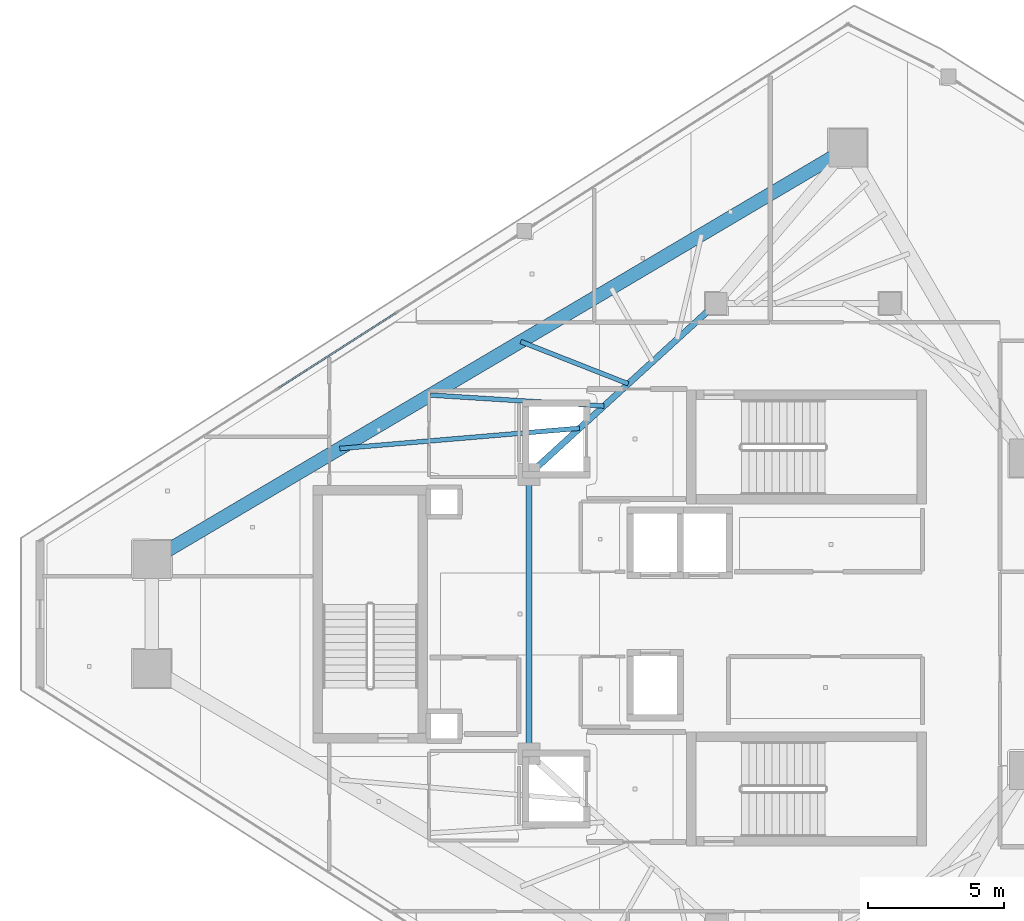
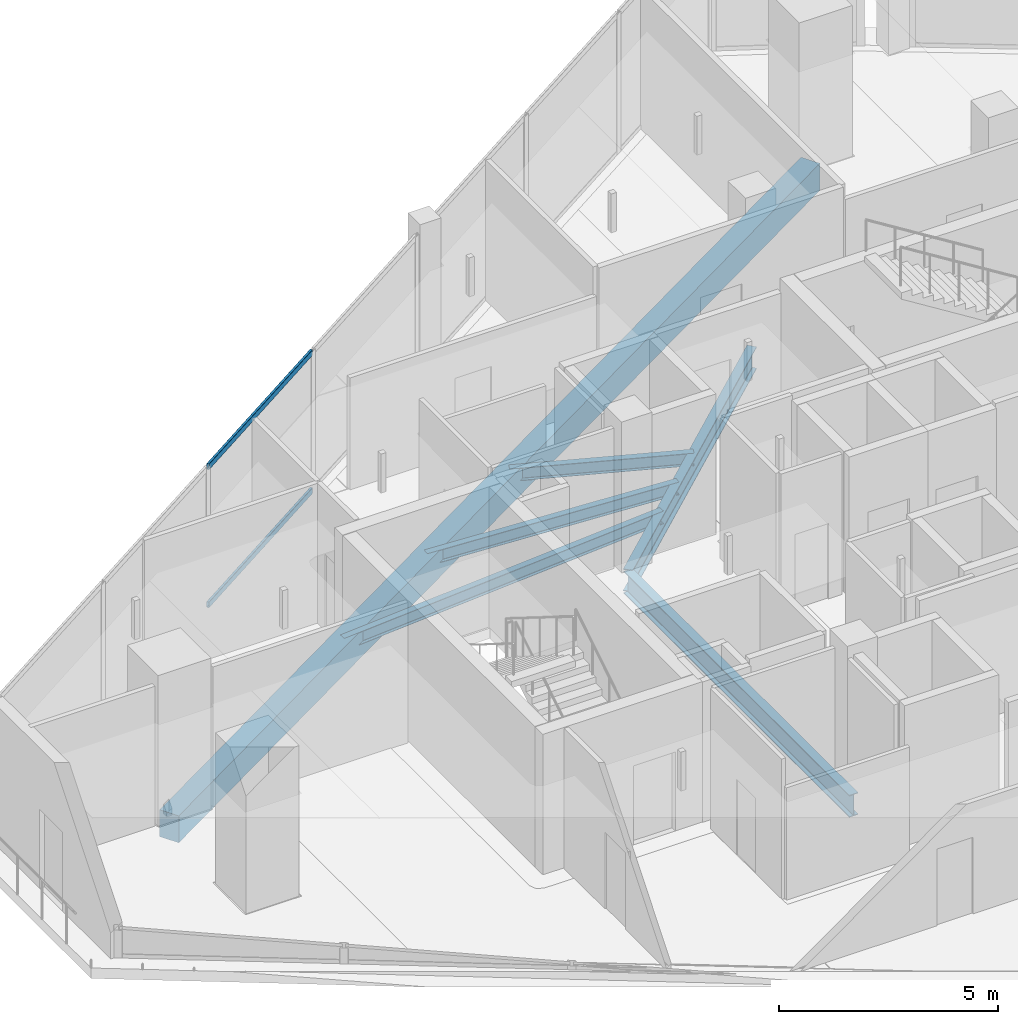
# One storey, part 6 of 23: 6 beams, 2 members, 1 element without a shape of its own.
"""IFC4 building model written with IfcOpenShell, lengths in metres."""

from ifc_helpers import new_model, si_unit, direction, frame, origin, origin_2d, place, context, subcontext, project, spatial, rectangle, hollow_rectangle, i_section, extrude, material, layer, layer_set, material_profile, profile_set, type_object, element, aggregate, save


model = new_model("IFC4")

# Units and contexts
model_context = context("Model", 3, precision=1e-05, world=origin(), true_north=direction((0.0, 1.0)))
body_context = subcontext(model_context, "Body", "Model", "MODEL_VIEW")
ifc_project = project(units=[si_unit("LENGTHUNIT", "METRE"), si_unit("AREAUNIT", "SQUARE_METRE"), si_unit("VOLUMEUNIT", "CUBIC_METRE"), si_unit("PLANEANGLEUNIT", "RADIAN"), si_unit("MASSUNIT", "GRAM", prefix="KILO")], contexts=[model_context])

# Site, building, storey
site_placement = place(None, origin())
site = spatial("IfcSite", under=ifc_project, at=site_placement, CompositionType="ELEMENT")
building_placement = place(site_placement, origin())
building = spatial("IfcBuilding", under=site, at=building_placement, Name="Qorvath Tower", CompositionType="ELEMENT")
storey_placement = place(building_placement, frame((0.0, 0.0, 310.199951171875)))
storey = spatial("IfcBuildingStorey", under=building, at=storey_placement, Name="L72", CompositionType="ELEMENT", Elevation=310.199951171875)

# Beams
ifc_material_1 = material(Name="Steel ASTM A992 Grade 50", Category="steel")
ifc_material_profile_1 = material_profile(ifc_material_1, i_section(OverallWidth=0.22998046875, OverallDepth=0.616943359375, WebThickness=0.01318359375, FlangeThickness=0.022216796875, FilletRadius=0.014892578125, at=origin_2d()), Name="W24x94")
ifc_profile_set_1 = profile_set([ifc_material_profile_1], Name="Steel ASTM A992 Grade 50")
beam_type_1 = type_object("IfcBeamType", Name="BM-FG6", PredefinedType="BEAM", material=ifc_profile_set_1)
beam_1_placement = place(storey_placement, frame((-30.5, -5.14990234375, -0.5986328125), z_axis=(0.0, 1.0, 0.0), x_axis=(-1.0, 0.0, 0.0)))
element("IfcBeam", 1, at=beam_1_placement, inside=storey, type_object=beam_type_1, Name="Core Ring Girder CC6-CC5 L72", PredefinedType="BEAM", context=body_context, shape_type="SweptSolid", body=[
    extrude(i_section(OverallWidth=0.22998046875, OverallDepth=0.616943359375, WebThickness=0.01318359375, FlangeThickness=0.022216796875, FilletRadius=0.014892578125, at=origin_2d()), origin(), (0.0, 0.0, 1.0), 10.2998046875),
])
beam_2_placement = place(storey_placement, frame((-30.5, 5.14990234375, -0.5986328125), z_axis=(0.73847813985, 0.6742774184, 0.0), x_axis=(-0.6742774184, 0.73847813985, 0.0)))
element("IfcBeam", 2, at=beam_2_placement, inside=storey, type_object=beam_type_1, Name="Core Ring Girder CC5-CC1 L72", PredefinedType="BEAM", context=body_context, shape_type="SweptSolid", body=[
    extrude(i_section(OverallWidth=0.22998046875, OverallDepth=0.616943359375, WebThickness=0.01318359375, FlangeThickness=0.022216796875, FilletRadius=0.014892578125, at=origin_2d()), origin(), (0.0, 0.0, 1.0), 9.343505859375),
])
ifc_material_2 = material(Name="Steel ASTM A992 Grade 50", Category="steel")
ifc_material_profile_2 = material_profile(ifc_material_2, i_section(OverallWidth=0.1708984375, OverallDepth=0.35107421875, WebThickness=0.0068359375, FlangeThickness=0.009765625, FilletRadius=0.010009765625, at=origin_2d()), Name="W14x30")
ifc_profile_set_2 = profile_set([ifc_material_profile_2], Name="Steel ASTM A992 Grade 50")
beam_type_2 = type_object("IfcBeamType", Name="BM-FJ4", PredefinedType="JOIST", material=ifc_profile_set_2)
beam_3_placement = place(storey_placement, frame((-28.636962890625, 6.85107421875, -0.465576171875), z_axis=(-0.996436150147, -0.084350451576, 0.0), x_axis=(0.084350451576, -0.996436150147, 0.0)))
element("IfcBeam", 3, at=beam_3_placement, inside=storey, type_object=beam_type_2, Name="Composite Floor Joist NW2 L72", PredefinedType="JOIST", context=body_context, shape_type="SweptSolid", body=[
    extrude(i_section(OverallWidth=0.1708984375, OverallDepth=0.35107421875, WebThickness=0.0068359375, FlangeThickness=0.009765625, FilletRadius=0.010009765625, at=origin_2d()), origin(), (0.0, 0.0, 1.0), 8.87109375),
])
beam_4_placement = place(storey_placement, frame((-27.739990234375, 7.669921875, -0.465576171875), z_axis=(-0.998006998641, 0.063103333222, 0.0), x_axis=(-0.063103333222, -0.998006998641, 0.0)))
element("IfcBeam", 4, at=beam_4_placement, inside=storey, type_object=beam_type_2, Name="Composite Floor Joist NW3 L72", PredefinedType="JOIST", context=body_context, shape_type="SweptSolid", body=[
    extrude(i_section(OverallWidth=0.1708984375, OverallDepth=0.35107421875, WebThickness=0.0068359375, FlangeThickness=0.009765625, FilletRadius=0.010009765625, at=origin_2d()), origin(), (0.0, 0.0, 1.0), 6.41455078125),
])
beam_5_placement = place(storey_placement, frame((-26.843017578125, 8.489013671875, -0.465576171875), z_axis=(-0.930720832638, 0.365730408489, 0.0), x_axis=(-0.365730408489, -0.930720832638, 0.0)))
element("IfcBeam", 5, at=beam_5_placement, inside=storey, type_object=beam_type_2, Name="Composite Floor Joist NW4 L72", PredefinedType="JOIST", context=body_context, shape_type="SweptSolid", body=[
    extrude(i_section(OverallWidth=0.1708984375, OverallDepth=0.35107421875, WebThickness=0.0068359375, FlangeThickness=0.009765625, FilletRadius=0.010009765625, at=origin_2d()), origin(), (0.0, 0.0, 1.0), 4.259033203125),
])
ifc_material_3 = material(Name="Concrete C45/55", Category="concrete")
ifc_material_profile_3 = material_profile(ifc_material_3, rectangle(XDim=0.5, YDim=0.75, at=origin_2d()), Name="RCB 750x500")
ifc_profile_set_3 = profile_set([ifc_material_profile_3], Name="Concrete C45/55")
beam_type_3 = type_object("IfcBeamType", Name="BM-RCB3", PredefinedType="SPANDREL", material=ifc_profile_set_3)
beam_6_placement = place(storey_placement, frame((-18.75048828125, 17.175537109375, -0.6650390625), z_axis=(-0.860780849348, -0.508975765038, 0.0), x_axis=(0.508975765038, -0.860780849348, 0.0)))
element("IfcBeam", 6, at=beam_6_placement, inside=storey, type_object=beam_type_3, Name="Perimeter Loggia Frame Beam MC6-MC1 L72", PredefinedType="SPANDREL", context=body_context, shape_type="SweptSolid", body=[
    extrude(rectangle(XDim=0.5, YDim=0.75, at=origin_2d()), origin(), (0.0, 0.0, 1.0), 29.801025390625),
])

# Curtain wall, members
ifc_material_4 = material(Name="Anodised aluminium and triple low-E glass", Category="aluminium")
ifc_layer = layer(ifc_material_4, 0.179931640625)
ifc_layer_set = layer_set([ifc_layer], Name="CW-SYS-4")
curtain_wall_type = type_object("IfcCurtainWallType", Name="CW-SYS-4", PredefinedType="NOTDEFINED", material=ifc_layer_set)
curtain_wall_placement = place(storey_placement, origin())
curtain_wall = element("IfcCurtainWall", 7, at=curtain_wall_placement, inside=storey, type_object=curtain_wall_type, Name="Curtain Wall CW-4 CW-T-L72-16.2", PredefinedType="NOTDEFINED")
ifc_material_5 = material(Name="Anodised aluminium 6063-T6", Category="aluminium")
ifc_material_profile_4 = material_profile(ifc_material_5, hollow_rectangle(XDim=0.06494140625, YDim=0.159912109375, WallThickness=0.00341796875, InnerFilletRadius=0.00341796875, OuterFilletRadius=0.007080078125, at=origin_2d()), Name="CWT 160x65")
ifc_profile_set_4 = profile_set([ifc_material_profile_4], Name="Anodised aluminium 6063-T6")
member_type = type_object("IfcMemberType", Name="CWT-160", PredefinedType="USERDEFINED", material=ifc_profile_set_4)
member_1_placement = place(storey_placement, frame((-35.410400390625, 11.099365234375, 0.032470703125), z_axis=(-0.842602591489, -0.538535860288, 0.0), x_axis=(0.538535860288, -0.842602591489, 0.0)))
member_1 = element("IfcMember", 8, at=member_1_placement, type_object=member_type, Name="CW-4 transom 2.1", ObjectType="TRANSOM", PredefinedType="USERDEFINED", context=body_context, shape_type="SweptSolid", body=[
    extrude(hollow_rectangle(XDim=0.06494140625, YDim=0.159912109375, WallThickness=0.00341796875, InnerFilletRadius=0.00341796875, OuterFilletRadius=0.007080078125, at=origin_2d()), origin(), (0.0, 0.0, 1.0), 5.125),
])
member_2_placement = place(storey_placement, frame((-35.410400390625, 11.099365234375, 3.877685546875), z_axis=(-0.842602591489, -0.538535860288, 0.0), x_axis=(0.538535860288, -0.842602591489, 0.0)))
member_2 = element("IfcMember", 9, at=member_2_placement, type_object=member_type, Name="CW-4 transom 2.2", ObjectType="TRANSOM", PredefinedType="USERDEFINED", context=body_context, shape_type="SweptSolid", body=[
    extrude(hollow_rectangle(XDim=0.06494140625, YDim=0.159912109375, WallThickness=0.00341796875, InnerFilletRadius=0.00341796875, OuterFilletRadius=0.007080078125, at=origin_2d()), origin(), (0.0, 0.0, 1.0), 5.125),
])
aggregate(curtain_wall, [member_1, member_2])

save(model, "model.ifc")
